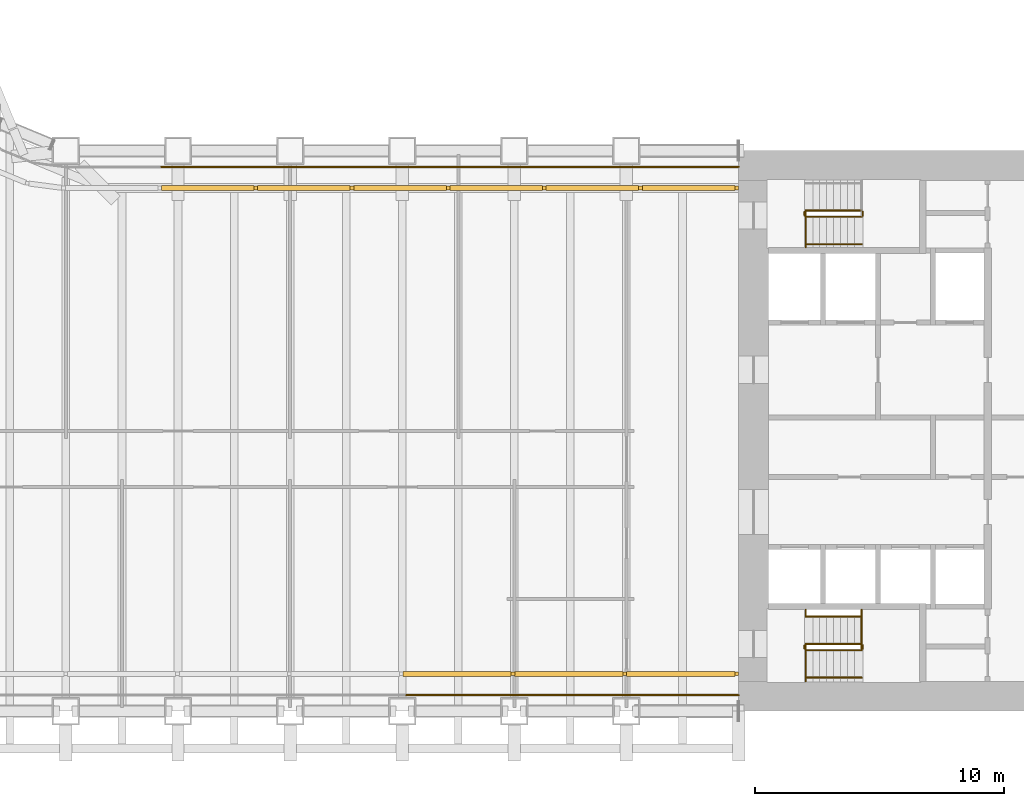
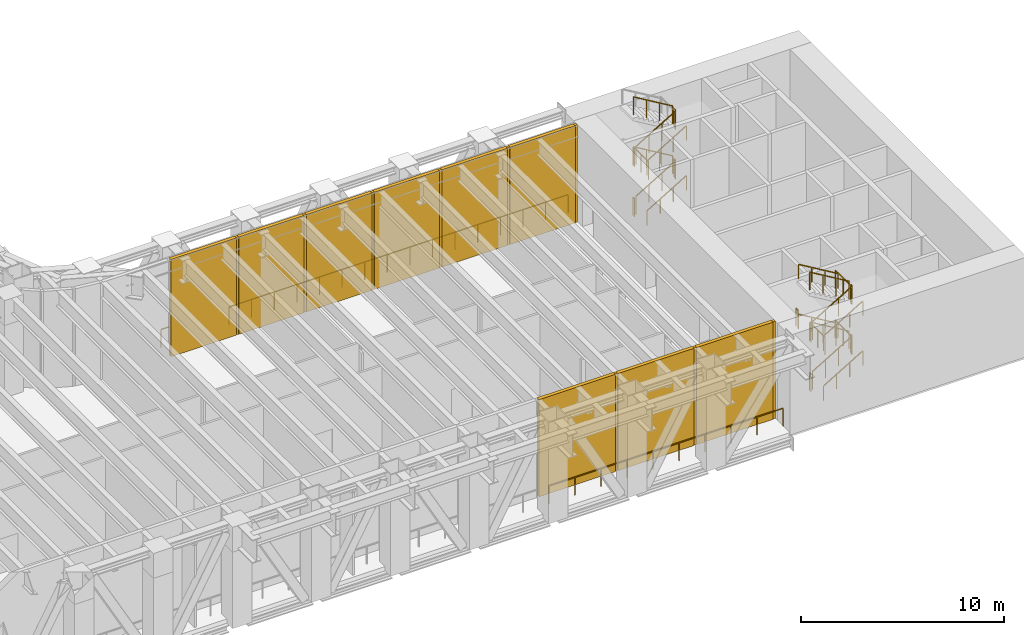
# One storey, part 16 of 19: 36 railings, 18 shading devices.
"""IFC4 building model written with IfcOpenShell, lengths in metres."""

from ifc_helpers import new_model, si_unit, direction, frame, origin, origin_2d, place, context, subcontext, project, spatial, rectangle, extrude, material, layer, layer_set, type_object, element, save


model = new_model("IFC4")

# Units and contexts
model_context = context("Model", 3, precision=1e-05, world=origin(), true_north=direction((0.0, 1.0)))
body_context = subcontext(model_context, "Body", "Model", "MODEL_VIEW")
ifc_project = project(units=[si_unit("LENGTHUNIT", "METRE"), si_unit("AREAUNIT", "SQUARE_METRE"), si_unit("VOLUMEUNIT", "CUBIC_METRE"), si_unit("PLANEANGLEUNIT", "RADIAN"), si_unit("MASSUNIT", "GRAM", prefix="KILO")], contexts=[model_context])

# Site, building, storey
site_placement = place(None, origin())
site = spatial("IfcSite", under=ifc_project, at=site_placement, CompositionType="ELEMENT")
building_placement = place(site_placement, origin())
building = spatial("IfcBuilding", under=site, at=building_placement, Name="Sennacour Bend Tower", CompositionType="ELEMENT")
storey_placement = place(building_placement, frame((0.0, 0.0, 77.0)))
storey = spatial("IfcBuildingStorey", under=building, at=storey_placement, Name="L17", CompositionType="ELEMENT", Elevation=77.0)

# Railings
ifc_material_1 = material(Name="Stainless steel 316", Category="steel")
railing_type_1 = type_object("IfcRailingType", Name="GUARD 1100", PredefinedType="GUARDRAIL", material=ifc_material_1)
for number, where, name in (
    (1, (30.820556640625, 21.85009765625, 0.0), "Guard L17"),
    (2, (34.68359375, 21.85009765625, 0.0), "Guard L17"),
    (3, (38.546630859375, 21.85009765625, 0.0), "Guard L17"),
    (4, (42.40966796875, 21.85009765625, 0.0), "Guard L17"),
):
    element("IfcRailing", number, at=place(storey_placement, frame(where)), inside=storey, type_object=railing_type_1, Name=name, PredefinedType="GUARDRAIL", context=body_context, shape_type="SweptSolid", body=[
        extrude(rectangle(XDim=0.048095703125, YDim=0.048095703125, at=origin_2d()), frame((0.0, 0.0, 1.076171875), z_axis=(1.0, 0.0, 0.0), x_axis=(0.0, 1.0, 0.0)), (0.0, 0.0, 1.0), 3.863037109375),
        extrude(rectangle(XDim=0.0419921875, YDim=0.0419921875, at=origin_2d()), origin(), (0.0, 0.0, 1.0), 1.052001953125),
        extrude(rectangle(XDim=0.0419921875, YDim=0.0419921875, at=origin_2d()), frame((1.28759765625, 0.0, 0.0)), (0.0, 0.0, 1.0), 1.052001953125),
        extrude(rectangle(XDim=0.0419921875, YDim=0.0419921875, at=origin_2d()), frame((2.575439453125, 0.0, 0.0)), (0.0, 0.0, 1.0), 1.052001953125),
        extrude(rectangle(XDim=0.0419921875, YDim=0.0419921875, at=origin_2d()), frame((3.863037109375, 0.0, 0.0)), (0.0, 0.0, 1.0), 1.052001953125),
    ])
railing_1_placement = place(storey_placement, frame((46.272705078125, 21.85009765625, 0.0)))
element("IfcRailing", 5, at=railing_1_placement, inside=storey, type_object=railing_type_1, Name="Guard L17", PredefinedType="GUARDRAIL", context=body_context, shape_type="SweptSolid", body=[
    extrude(rectangle(XDim=0.048095703125, YDim=0.048095703125, at=origin_2d()), frame((0.0, 0.0, 1.076171875), z_axis=(1.0, 0.0, 0.0), x_axis=(0.0, 1.0, 0.0)), (0.0, 0.0, 1.0), 3.86328125),
    extrude(rectangle(XDim=0.0419921875, YDim=0.0419921875, at=origin_2d()), origin(), (0.0, 0.0, 1.0), 1.052001953125),
    extrude(rectangle(XDim=0.0419921875, YDim=0.0419921875, at=origin_2d()), frame((1.287841796875, 0.0, 0.0)), (0.0, 0.0, 1.0), 1.052001953125),
    extrude(rectangle(XDim=0.0419921875, YDim=0.0419921875, at=origin_2d()), frame((2.575439453125, 0.0, 0.0)), (0.0, 0.0, 1.0), 1.052001953125),
    extrude(rectangle(XDim=0.0419921875, YDim=0.0419921875, at=origin_2d()), frame((3.86328125, 0.0, 0.0)), (0.0, 0.0, 1.0), 1.052001953125),
])
railing_2_placement = place(storey_placement, frame((50.135986328125, 21.85009765625, 0.0)))
element("IfcRailing", 6, at=railing_2_placement, inside=storey, type_object=railing_type_1, Name="Guard L17", PredefinedType="GUARDRAIL", context=body_context, shape_type="SweptSolid", body=[
    extrude(rectangle(XDim=0.048095703125, YDim=0.048095703125, at=origin_2d()), frame((0.0, 0.0, 1.076171875), z_axis=(1.0, 0.0, 0.0), x_axis=(0.0, 1.0, 0.0)), (0.0, 0.0, 1.0), 3.863037109375),
    extrude(rectangle(XDim=0.0419921875, YDim=0.0419921875, at=origin_2d()), origin(), (0.0, 0.0, 1.0), 1.052001953125),
    extrude(rectangle(XDim=0.0419921875, YDim=0.0419921875, at=origin_2d()), frame((1.28759765625, 0.0, 0.0)), (0.0, 0.0, 1.0), 1.052001953125),
    extrude(rectangle(XDim=0.0419921875, YDim=0.0419921875, at=origin_2d()), frame((2.575439453125, 0.0, 0.0)), (0.0, 0.0, 1.0), 1.052001953125),
    extrude(rectangle(XDim=0.0419921875, YDim=0.0419921875, at=origin_2d()), frame((3.863037109375, 0.0, 0.0)), (0.0, 0.0, 1.0), 1.052001953125),
])
for number, where, name in (
    (7, (53.9990234375, 0.64990234375, 0.0), "Guard L17"),
    (8, (49.55322265625, 0.64990234375, 0.0), "Guard L17"),
    (9, (45.107421875, 0.64990234375, 0.0), "Guard L17"),
):
    element("IfcRailing", number, at=place(storey_placement, frame(where)), inside=storey, type_object=railing_type_1, Name=name, PredefinedType="GUARDRAIL", context=body_context, shape_type="SweptSolid", body=[
        extrude(rectangle(XDim=0.048095703125, YDim=0.048095703125, at=origin_2d()), frame((0.0, 0.0, 1.076171875), z_axis=(-1.0, 0.0, 0.0), x_axis=(0.0, -1.0, 0.0)), (0.0, 0.0, 1.0), 4.44580078125),
        extrude(rectangle(XDim=0.0419921875, YDim=0.0419921875, at=origin_2d()), origin(), (0.0, 0.0, 1.0), 1.052001953125),
        extrude(rectangle(XDim=0.0419921875, YDim=0.0419921875, at=origin_2d()), frame((-1.48193359375, 0.0, 0.0)), (0.0, 0.0, 1.0), 1.052001953125),
        extrude(rectangle(XDim=0.0419921875, YDim=0.0419921875, at=origin_2d()), frame((-2.9638671875, 0.0, 0.0)), (0.0, 0.0, 1.0), 1.052001953125),
        extrude(rectangle(XDim=0.0419921875, YDim=0.0419921875, at=origin_2d()), frame((-4.44580078125, 0.0, 0.0)), (0.0, 0.0, 1.0), 1.052001953125),
    ])

# Shading devices
ifc_material_2 = material(Name="Dark bronze anodised aluminium louvre", Category="aluminium")
ifc_layer = layer(ifc_material_2, 0.199951171875, Name="Dark bronze anodised aluminium louvre", Category="aluminium")
ifc_layer_set = layer_set([ifc_layer], Name="Dark bronze anodised aluminium louvre")
shading_device_type_1 = type_object("IfcShadingDeviceType", Name="LOUVRE BANK 200", PredefinedType="USERDEFINED", material=ifc_layer_set)
for number, where, z_axis, x_axis, name in (
    (10, (32.692138671875, 21.0, 0.0), (0.0, 0.0, 1.0), (1.0, 0.0, 0.0), "Louvre bank L17"),
    (11, (36.552490234375, 21.0, 0.0), (0.0, 0.0, 1.0), (1.0, 0.0, 0.0), "Louvre bank L17"),
    (12, (40.412841796875, 21.0, 0.0), (0.0, 0.0, 1.0), (1.0, 0.0, 0.0), "Louvre bank L17"),
    (13, (44.273193359375, 21.0, 0.0), (0.0, 0.0, 1.0), (1.0, 0.0, 0.0), "Louvre bank L17"),
    (14, (48.133544921875, 21.0, 0.0), (0.0, 0.0, 1.0), (1.0, 0.0, 0.0), "Louvre bank L17"),
    (15, (51.993896484375, 21.0, 0.0), (0.0, 0.0, 1.0), (1.0, 0.0, 0.0), "Louvre bank L17"),
):
    element("IfcShadingDevice", number, at=place(storey_placement, frame(where, z_axis=z_axis, x_axis=x_axis)), inside=storey, type_object=shading_device_type_1, Name=name, ObjectType="LOUVRE", PredefinedType="USERDEFINED", context=body_context, shape_type="SweptSolid", body=[
        extrude(rectangle(XDim=3.72021484375, YDim=0.199951171875, at=origin_2d()), origin(), (0.0, 0.0, 1.0), 5.85009765625),
    ])
for number, where, z_axis, x_axis, name in (
    (16, (51.679443359375, 1.5, 0.0), (0.0, 0.0, 1.0), (-1.0, 0.0, 0.0), "Louvre bank L17"),
    (17, (47.190185546875, 1.5, 0.0), (0.0, 0.0, 1.0), (-1.0, 0.0, 0.0), "Louvre bank L17"),
    (18, (42.701171875, 1.5, 0.0), (0.0, 0.0, 1.0), (-1.0, 0.0, 0.0), "Louvre bank L17"),
):
    element("IfcShadingDevice", number, at=place(storey_placement, frame(where, z_axis=z_axis, x_axis=x_axis)), inside=storey, type_object=shading_device_type_1, Name=name, ObjectType="LOUVRE", PredefinedType="USERDEFINED", context=body_context, shape_type="SweptSolid", body=[
        extrude(rectangle(XDim=4.34912109375, YDim=0.199951171875, at=origin_2d()), origin(), (0.0, 0.0, 1.0), 5.85009765625),
    ])
shading_device_type_2 = type_object("IfcShadingDeviceType", Name="LOUVRE WALL POST 150", PredefinedType="USERDEFINED", material=ifc_material_2)
for number, where, z_axis, x_axis, name in (
    (19, (34.622314453125, 21.0, 0.0), (0.0, 0.0, 1.0), (1.0, 0.0, 0.0), "Louvre wall post L17"),
    (20, (38.482666015625, 21.0, 0.0), (0.0, 0.0, 1.0), (1.0, 0.0, 0.0), "Louvre wall post L17"),
    (21, (42.343017578125, 21.0, 0.0), (0.0, 0.0, 1.0), (1.0, 0.0, 0.0), "Louvre wall post L17"),
    (22, (46.203369140625, 21.0, 0.0), (0.0, 0.0, 1.0), (1.0, 0.0, 0.0), "Louvre wall post L17"),
    (23, (50.063720703125, 21.0, 0.0), (0.0, 0.0, 1.0), (1.0, 0.0, 0.0), "Louvre wall post L17"),
    (24, (53.924072265625, 21.0, 0.0), (0.0, 0.0, 1.0), (1.0, 0.0, 0.0), "Louvre wall post L17"),
    (25, (53.924072265625, 1.5, 0.0), (0.0, 0.0, 1.0), (1.0, 0.0, 0.0), "Louvre wall post L17"),
    (26, (49.434814453125, 1.5, 0.0), (0.0, 0.0, 1.0), (1.0, 0.0, 0.0), "Louvre wall post L17"),
    (27, (44.94580078125, 1.5, 0.0), (0.0, 0.0, 1.0), (1.0, 0.0, 0.0), "Louvre wall post L17"),
):
    element("IfcShadingDevice", number, at=place(storey_placement, frame(where, z_axis=z_axis, x_axis=x_axis)), inside=storey, type_object=shading_device_type_2, Name=name, ObjectType="LOUVRE", PredefinedType="USERDEFINED", context=body_context, shape_type="SweptSolid", body=[
        extrude(rectangle(XDim=0.14990234375, YDim=0.14990234375, at=origin_2d()), origin(), (0.0, 0.0, 1.0), 5.85009765625),
    ])

# Railings
ifc_material_3 = material(Name="Stainless steel", Category="steel")
railing_type_2 = type_object("IfcRailingType", Name="RL-GUARD-1100", PredefinedType="GUARDRAIL", material=ifc_material_3)
railing_3_placement = place(storey_placement, frame((56.699951171875, 2.449951171875, 0.166748046875)))
element("IfcRailing", 28, at=railing_3_placement, inside=storey, type_object=railing_type_2, Name="L17 SA1 stair guard 1", PredefinedType="GUARDRAIL", context=body_context, shape_type="SweptSolid", body=[
    extrude(rectangle(XDim=0.048095703125, YDim=0.048095703125, at=origin_2d()), frame((0.0, 0.0, 1.076171875), z_axis=(0.859305625298, 0.0, 0.511462454469), x_axis=(0.0, 1.0, 0.0)), (0.0, 0.0, 1.0), 2.606689453125),
    extrude(rectangle(XDim=0.0419921875, YDim=0.0419921875, at=origin_2d()), origin(), (0.0, 0.0, 1.0), 1.052001953125),
    extrude(rectangle(XDim=0.0419921875, YDim=0.0419921875, at=origin_2d()), frame((0.74658203125, 0.0, 0.4443359375)), (0.0, 0.0, 1.0), 1.052001953125),
    extrude(rectangle(XDim=0.0419921875, YDim=0.0419921875, at=origin_2d()), frame((1.493408203125, 0.0, 0.888916015625)), (0.0, 0.0, 1.0), 1.052001953125),
    extrude(rectangle(XDim=0.0419921875, YDim=0.0419921875, at=origin_2d()), frame((2.239990234375, 0.0, 1.333251953125)), (0.0, 0.0, 1.0), 1.052001953125),
])
railing_4_placement = place(storey_placement, frame((58.989990234375, 2.5, 1.5)))
element("IfcRailing", 29, at=railing_4_placement, inside=storey, type_object=railing_type_2, Name="L17 SA1 stair guard 2", PredefinedType="GUARDRAIL", context=body_context, shape_type="SweptSolid", body=[
    extrude(rectangle(XDim=0.048095703125, YDim=0.048095703125, at=origin_2d()), frame((0.0, 0.0, 1.076171875), z_axis=(0.0, 1.0, 0.0), x_axis=(-1.0, 0.0, 0.0)), (0.0, 0.0, 1.0), 0.14990234375),
    extrude(rectangle(XDim=0.0419921875, YDim=0.0419921875, at=origin_2d()), origin(), (0.0, 0.0, 1.0), 1.052001953125),
    extrude(rectangle(XDim=0.0419921875, YDim=0.0419921875, at=origin_2d()), frame((0.0, 0.14990234375, 0.0)), (0.0, 0.0, 1.0), 1.052001953125),
])
railing_5_placement = place(storey_placement, frame((58.93994140625, 2.699951171875, 1.666748046875)))
element("IfcRailing", 30, at=railing_5_placement, inside=storey, type_object=railing_type_2, Name="L17 SA1 stair guard 4", PredefinedType="GUARDRAIL", context=body_context, shape_type="SweptSolid", body=[
    extrude(rectangle(XDim=0.048095703125, YDim=0.048095703125, at=origin_2d()), frame((0.0, 0.0, 1.076171875), z_axis=(-0.859305625298, 0.0, 0.511462454469), x_axis=(0.0, -1.0, 0.0)), (0.0, 0.0, 1.0), 2.606689453125),
    extrude(rectangle(XDim=0.0419921875, YDim=0.0419921875, at=origin_2d()), origin(), (0.0, 0.0, 1.0), 1.052001953125),
    extrude(rectangle(XDim=0.0419921875, YDim=0.0419921875, at=origin_2d()), frame((-0.74658203125, 0.0, 0.4443359375)), (0.0, 0.0, 1.0), 1.052001953125),
    extrude(rectangle(XDim=0.0419921875, YDim=0.0419921875, at=origin_2d()), frame((-1.493408203125, 0.0, 0.888916015625)), (0.0, 0.0, 1.0), 1.052001953125),
    extrude(rectangle(XDim=0.0419921875, YDim=0.0419921875, at=origin_2d()), frame((-2.239990234375, 0.0, 1.333251953125)), (0.0, 0.0, 1.0), 1.052001953125),
])
railing_6_placement = place(storey_placement, frame((56.64990234375, 2.5, 3.0)))
element("IfcRailing", 31, at=railing_6_placement, inside=storey, type_object=railing_type_2, Name="L17 SA1 stair guard 5", PredefinedType="GUARDRAIL", context=body_context, shape_type="SweptSolid", body=[
    extrude(rectangle(XDim=0.048095703125, YDim=0.048095703125, at=origin_2d()), frame((0.0, 0.0, 1.076171875), z_axis=(0.0, 1.0, 0.0), x_axis=(-1.0, 0.0, 0.0)), (0.0, 0.0, 1.0), 0.14990234375),
    extrude(rectangle(XDim=0.0419921875, YDim=0.0419921875, at=origin_2d()), origin(), (0.0, 0.0, 1.0), 1.052001953125),
    extrude(rectangle(XDim=0.0419921875, YDim=0.0419921875, at=origin_2d()), frame((0.0, 0.14990234375, 0.0)), (0.0, 0.0, 1.0), 1.052001953125),
])
railing_7_placement = place(storey_placement, frame((56.699951171875, 2.449951171875, 3.166748046875)))
element("IfcRailing", 32, at=railing_7_placement, inside=storey, type_object=railing_type_2, Name="L17 SA1 stair guard 8", PredefinedType="GUARDRAIL", context=body_context, shape_type="SweptSolid", body=[
    extrude(rectangle(XDim=0.048095703125, YDim=0.048095703125, at=origin_2d()), frame((0.0, 0.0, 1.076171875), z_axis=(0.859305625298, 0.0, 0.511462454469), x_axis=(0.0, 1.0, 0.0)), (0.0, 0.0, 1.0), 2.606689453125),
    extrude(rectangle(XDim=0.0419921875, YDim=0.0419921875, at=origin_2d()), origin(), (0.0, 0.0, 1.0), 1.052001953125),
    extrude(rectangle(XDim=0.0419921875, YDim=0.0419921875, at=origin_2d()), frame((0.74658203125, 0.0, 0.4443359375)), (0.0, 0.0, 1.0), 1.052001953125),
    extrude(rectangle(XDim=0.0419921875, YDim=0.0419921875, at=origin_2d()), frame((1.493408203125, 0.0, 0.888916015625)), (0.0, 0.0, 1.0), 1.052001953125),
    extrude(rectangle(XDim=0.0419921875, YDim=0.0419921875, at=origin_2d()), frame((2.239990234375, 0.0, 1.333251953125)), (0.0, 0.0, 1.0), 1.052001953125),
])
railing_8_placement = place(storey_placement, frame((58.989990234375, 2.5, 4.5)))
element("IfcRailing", 33, at=railing_8_placement, inside=storey, type_object=railing_type_2, Name="L17 SA1 stair guard 9", PredefinedType="GUARDRAIL", context=body_context, shape_type="SweptSolid", body=[
    extrude(rectangle(XDim=0.048095703125, YDim=0.048095703125, at=origin_2d()), frame((0.0, 0.0, 1.076171875), z_axis=(0.0, 1.0, 0.0), x_axis=(-1.0, 0.0, 0.0)), (0.0, 0.0, 1.0), 0.14990234375),
    extrude(rectangle(XDim=0.0419921875, YDim=0.0419921875, at=origin_2d()), origin(), (0.0, 0.0, 1.0), 1.052001953125),
    extrude(rectangle(XDim=0.0419921875, YDim=0.0419921875, at=origin_2d()), frame((0.0, 0.14990234375, 0.0)), (0.0, 0.0, 1.0), 1.052001953125),
])
railing_9_placement = place(storey_placement, frame((58.93994140625, 2.699951171875, 4.666748046875)))
element("IfcRailing", 34, at=railing_9_placement, inside=storey, type_object=railing_type_2, Name="L17 SA1 stair guard 11", PredefinedType="GUARDRAIL", context=body_context, shape_type="SweptSolid", body=[
    extrude(rectangle(XDim=0.048095703125, YDim=0.048095703125, at=origin_2d()), frame((0.0, 0.0, 1.076171875), z_axis=(-0.859305625298, 0.0, 0.511462454469), x_axis=(0.0, -1.0, 0.0)), (0.0, 0.0, 1.0), 2.606689453125),
    extrude(rectangle(XDim=0.0419921875, YDim=0.0419921875, at=origin_2d()), origin(), (0.0, 0.0, 1.0), 1.052001953125),
    extrude(rectangle(XDim=0.0419921875, YDim=0.0419921875, at=origin_2d()), frame((-0.74658203125, 0.0, 0.4443359375)), (0.0, 0.0, 1.0), 1.052001953125),
    extrude(rectangle(XDim=0.0419921875, YDim=0.0419921875, at=origin_2d()), frame((-1.493408203125, 0.0, 0.888916015625)), (0.0, 0.0, 1.0), 1.052001953125),
    extrude(rectangle(XDim=0.0419921875, YDim=0.0419921875, at=origin_2d()), frame((-2.239990234375, 0.0, 1.333251953125)), (0.0, 0.0, 1.0), 1.052001953125),
])
railing_10_placement = place(storey_placement, frame((56.64990234375, 2.5, 0.0)))
element("IfcRailing", 35, at=railing_10_placement, inside=storey, type_object=railing_type_2, Name="L17 SA1 stair guard 12", PredefinedType="GUARDRAIL", context=body_context, shape_type="SweptSolid", body=[
    extrude(rectangle(XDim=0.048095703125, YDim=0.048095703125, at=origin_2d()), frame((0.0, 0.0, 1.076171875), z_axis=(0.0, 1.0, 0.0), x_axis=(-1.0, 0.0, 0.0)), (0.0, 0.0, 1.0), 0.14990234375),
    extrude(rectangle(XDim=0.0419921875, YDim=0.0419921875, at=origin_2d()), origin(), (0.0, 0.0, 1.0), 1.052001953125),
    extrude(rectangle(XDim=0.0419921875, YDim=0.0419921875, at=origin_2d()), frame((0.0, 0.14990234375, 0.0)), (0.0, 0.0, 1.0), 1.052001953125),
])
railing_11_placement = place(storey_placement, frame((58.93994140625, 2.5, 1.5)))
element("IfcRailing", 36, at=railing_11_placement, inside=storey, type_object=railing_type_2, Name="L17 SA1 landing edge guard 32", PredefinedType="GUARDRAIL", context=body_context, shape_type="SweptSolid", body=[
    extrude(rectangle(XDim=0.048095703125, YDim=0.048095703125, at=origin_2d()), frame((0.0, 0.0, 1.076171875), z_axis=(0.0, 1.0, 0.0), x_axis=(-1.0, 0.0, 0.0)), (0.0, 0.0, 1.0), 1.574951171875),
    extrude(rectangle(XDim=0.0419921875, YDim=0.0419921875, at=origin_2d()), origin(), (0.0, 0.0, 1.0), 1.052001953125),
    extrude(rectangle(XDim=0.0419921875, YDim=0.0419921875, at=origin_2d()), frame((0.0, 0.78759765625, 0.0)), (0.0, 0.0, 1.0), 1.052001953125),
    extrude(rectangle(XDim=0.0419921875, YDim=0.0419921875, at=origin_2d()), frame((0.0, 1.574951171875, 0.0)), (0.0, 0.0, 1.0), 1.052001953125),
])
railing_12_placement = place(storey_placement, frame((56.699951171875, 4.074951171875, 3.0)))
element("IfcRailing", 37, at=railing_12_placement, inside=storey, type_object=railing_type_2, Name="L17 SA1 landing edge guard 33", PredefinedType="GUARDRAIL", context=body_context, shape_type="SweptSolid", body=[
    extrude(rectangle(XDim=0.048095703125, YDim=0.048095703125, at=origin_2d()), frame((0.0, 0.0, 1.076171875), z_axis=(0.0, -1.0, 0.0), x_axis=(1.0, 0.0, 0.0)), (0.0, 0.0, 1.0), 0.224853515625),
    extrude(rectangle(XDim=0.0419921875, YDim=0.0419921875, at=origin_2d()), origin(), (0.0, 0.0, 1.0), 1.052001953125),
    extrude(rectangle(XDim=0.0419921875, YDim=0.0419921875, at=origin_2d()), frame((0.0, -0.224853515625, 0.0)), (0.0, 0.0, 1.0), 1.052001953125),
])
railing_13_placement = place(storey_placement, frame((56.699951171875, 2.64990234375, 3.0)))
element("IfcRailing", 38, at=railing_13_placement, inside=storey, type_object=railing_type_2, Name="L17 SA1 landing edge guard 34", PredefinedType="GUARDRAIL", context=body_context, shape_type="SweptSolid", body=[
    extrude(rectangle(XDim=0.048095703125, YDim=0.048095703125, at=origin_2d()), frame((0.0, 0.0, 1.076171875), z_axis=(0.0, -1.0, 0.0), x_axis=(1.0, 0.0, 0.0)), (0.0, 0.0, 1.0), 1.449951171875),
    extrude(rectangle(XDim=0.0419921875, YDim=0.0419921875, at=origin_2d()), origin(), (0.0, 0.0, 1.0), 1.052001953125),
    extrude(rectangle(XDim=0.0419921875, YDim=0.0419921875, at=origin_2d()), frame((0.0, -0.72509765625, 0.0)), (0.0, 0.0, 1.0), 1.052001953125),
    extrude(rectangle(XDim=0.0419921875, YDim=0.0419921875, at=origin_2d()), frame((0.0, -1.449951171875, 0.0)), (0.0, 0.0, 1.0), 1.052001953125),
])
railing_14_placement = place(storey_placement, frame((58.93994140625, 2.5, 4.5)))
element("IfcRailing", 39, at=railing_14_placement, inside=storey, type_object=railing_type_2, Name="L17 SA1 landing edge guard 35", PredefinedType="GUARDRAIL", context=body_context, shape_type="SweptSolid", body=[
    extrude(rectangle(XDim=0.048095703125, YDim=0.048095703125, at=origin_2d()), frame((0.0, 0.0, 1.076171875), z_axis=(0.0, 1.0, 0.0), x_axis=(-1.0, 0.0, 0.0)), (0.0, 0.0, 1.0), 1.574951171875),
    extrude(rectangle(XDim=0.0419921875, YDim=0.0419921875, at=origin_2d()), origin(), (0.0, 0.0, 1.0), 1.052001953125),
    extrude(rectangle(XDim=0.0419921875, YDim=0.0419921875, at=origin_2d()), frame((0.0, 0.78759765625, 0.0)), (0.0, 0.0, 1.0), 1.052001953125),
    extrude(rectangle(XDim=0.0419921875, YDim=0.0419921875, at=origin_2d()), frame((0.0, 1.574951171875, 0.0)), (0.0, 0.0, 1.0), 1.052001953125),
])
railing_15_placement = place(storey_placement, frame((56.699951171875, 19.85009765625, 0.166748046875)))
element("IfcRailing", 40, at=railing_15_placement, inside=storey, type_object=railing_type_2, Name="L17 SA2 stair guard 1", PredefinedType="GUARDRAIL", context=body_context, shape_type="SweptSolid", body=[
    extrude(rectangle(XDim=0.048095703125, YDim=0.048095703125, at=origin_2d()), frame((0.0, 0.0, 1.076171875), z_axis=(0.859305625298, 0.0, 0.511462454469), x_axis=(0.0, 1.0, 0.0)), (0.0, 0.0, 1.0), 2.606689453125),
    extrude(rectangle(XDim=0.0419921875, YDim=0.0419921875, at=origin_2d()), origin(), (0.0, 0.0, 1.0), 1.052001953125),
    extrude(rectangle(XDim=0.0419921875, YDim=0.0419921875, at=origin_2d()), frame((0.74658203125, 0.0, 0.4443359375)), (0.0, 0.0, 1.0), 1.052001953125),
    extrude(rectangle(XDim=0.0419921875, YDim=0.0419921875, at=origin_2d()), frame((1.493408203125, 0.0, 0.888916015625)), (0.0, 0.0, 1.0), 1.052001953125),
    extrude(rectangle(XDim=0.0419921875, YDim=0.0419921875, at=origin_2d()), frame((2.239990234375, 0.0, 1.333251953125)), (0.0, 0.0, 1.0), 1.052001953125),
])
railing_16_placement = place(storey_placement, frame((58.989990234375, 19.89990234375, 1.5)))
element("IfcRailing", 41, at=railing_16_placement, inside=storey, type_object=railing_type_2, Name="L17 SA2 stair guard 2", PredefinedType="GUARDRAIL", context=body_context, shape_type="SweptSolid", body=[
    extrude(rectangle(XDim=0.048095703125, YDim=0.048095703125, at=origin_2d()), frame((0.0, 0.0, 1.076171875), z_axis=(0.0, 1.0, 0.0), x_axis=(-1.0, 0.0, 0.0)), (0.0, 0.0, 1.0), 0.150146484375),
    extrude(rectangle(XDim=0.0419921875, YDim=0.0419921875, at=origin_2d()), origin(), (0.0, 0.0, 1.0), 1.052001953125),
    extrude(rectangle(XDim=0.0419921875, YDim=0.0419921875, at=origin_2d()), frame((0.0, 0.150146484375, 0.0)), (0.0, 0.0, 1.0), 1.052001953125),
])
railing_17_placement = place(storey_placement, frame((58.93994140625, 20.10009765625, 1.666748046875)))
element("IfcRailing", 42, at=railing_17_placement, inside=storey, type_object=railing_type_2, Name="L17 SA2 stair guard 4", PredefinedType="GUARDRAIL", context=body_context, shape_type="SweptSolid", body=[
    extrude(rectangle(XDim=0.048095703125, YDim=0.048095703125, at=origin_2d()), frame((0.0, 0.0, 1.076171875), z_axis=(-0.859305625298, 0.0, 0.511462454469), x_axis=(0.0, -1.0, 0.0)), (0.0, 0.0, 1.0), 2.606689453125),
    extrude(rectangle(XDim=0.0419921875, YDim=0.0419921875, at=origin_2d()), origin(), (0.0, 0.0, 1.0), 1.052001953125),
    extrude(rectangle(XDim=0.0419921875, YDim=0.0419921875, at=origin_2d()), frame((-0.74658203125, 0.0, 0.4443359375)), (0.0, 0.0, 1.0), 1.052001953125),
    extrude(rectangle(XDim=0.0419921875, YDim=0.0419921875, at=origin_2d()), frame((-1.493408203125, 0.0, 0.888916015625)), (0.0, 0.0, 1.0), 1.052001953125),
    extrude(rectangle(XDim=0.0419921875, YDim=0.0419921875, at=origin_2d()), frame((-2.239990234375, 0.0, 1.333251953125)), (0.0, 0.0, 1.0), 1.052001953125),
])
railing_18_placement = place(storey_placement, frame((56.64990234375, 19.89990234375, 3.0)))
element("IfcRailing", 43, at=railing_18_placement, inside=storey, type_object=railing_type_2, Name="L17 SA2 stair guard 5", PredefinedType="GUARDRAIL", context=body_context, shape_type="SweptSolid", body=[
    extrude(rectangle(XDim=0.048095703125, YDim=0.048095703125, at=origin_2d()), frame((0.0, 0.0, 1.076171875), z_axis=(0.0, 1.0, 0.0), x_axis=(-1.0, 0.0, 0.0)), (0.0, 0.0, 1.0), 0.150146484375),
    extrude(rectangle(XDim=0.0419921875, YDim=0.0419921875, at=origin_2d()), origin(), (0.0, 0.0, 1.0), 1.052001953125),
    extrude(rectangle(XDim=0.0419921875, YDim=0.0419921875, at=origin_2d()), frame((0.0, 0.150146484375, 0.0)), (0.0, 0.0, 1.0), 1.052001953125),
])
railing_19_placement = place(storey_placement, frame((56.699951171875, 19.85009765625, 3.166748046875)))
element("IfcRailing", 44, at=railing_19_placement, inside=storey, type_object=railing_type_2, Name="L17 SA2 stair guard 8", PredefinedType="GUARDRAIL", context=body_context, shape_type="SweptSolid", body=[
    extrude(rectangle(XDim=0.048095703125, YDim=0.048095703125, at=origin_2d()), frame((0.0, 0.0, 1.076171875), z_axis=(0.859305625298, 0.0, 0.511462454469), x_axis=(0.0, 1.0, 0.0)), (0.0, 0.0, 1.0), 2.606689453125),
    extrude(rectangle(XDim=0.0419921875, YDim=0.0419921875, at=origin_2d()), origin(), (0.0, 0.0, 1.0), 1.052001953125),
    extrude(rectangle(XDim=0.0419921875, YDim=0.0419921875, at=origin_2d()), frame((0.74658203125, 0.0, 0.4443359375)), (0.0, 0.0, 1.0), 1.052001953125),
    extrude(rectangle(XDim=0.0419921875, YDim=0.0419921875, at=origin_2d()), frame((1.493408203125, 0.0, 0.888916015625)), (0.0, 0.0, 1.0), 1.052001953125),
    extrude(rectangle(XDim=0.0419921875, YDim=0.0419921875, at=origin_2d()), frame((2.239990234375, 0.0, 1.333251953125)), (0.0, 0.0, 1.0), 1.052001953125),
])
railing_20_placement = place(storey_placement, frame((58.989990234375, 19.89990234375, 4.5)))
element("IfcRailing", 45, at=railing_20_placement, inside=storey, type_object=railing_type_2, Name="L17 SA2 stair guard 9", PredefinedType="GUARDRAIL", context=body_context, shape_type="SweptSolid", body=[
    extrude(rectangle(XDim=0.048095703125, YDim=0.048095703125, at=origin_2d()), frame((0.0, 0.0, 1.076171875), z_axis=(0.0, 1.0, 0.0), x_axis=(-1.0, 0.0, 0.0)), (0.0, 0.0, 1.0), 0.150146484375),
    extrude(rectangle(XDim=0.0419921875, YDim=0.0419921875, at=origin_2d()), origin(), (0.0, 0.0, 1.0), 1.052001953125),
    extrude(rectangle(XDim=0.0419921875, YDim=0.0419921875, at=origin_2d()), frame((0.0, 0.150146484375, 0.0)), (0.0, 0.0, 1.0), 1.052001953125),
])
railing_21_placement = place(storey_placement, frame((58.93994140625, 20.10009765625, 4.666748046875)))
element("IfcRailing", 46, at=railing_21_placement, inside=storey, type_object=railing_type_2, Name="L17 SA2 stair guard 11", PredefinedType="GUARDRAIL", context=body_context, shape_type="SweptSolid", body=[
    extrude(rectangle(XDim=0.048095703125, YDim=0.048095703125, at=origin_2d()), frame((0.0, 0.0, 1.076171875), z_axis=(-0.859305625298, 0.0, 0.511462454469), x_axis=(0.0, -1.0, 0.0)), (0.0, 0.0, 1.0), 2.606689453125),
    extrude(rectangle(XDim=0.0419921875, YDim=0.0419921875, at=origin_2d()), origin(), (0.0, 0.0, 1.0), 1.052001953125),
    extrude(rectangle(XDim=0.0419921875, YDim=0.0419921875, at=origin_2d()), frame((-0.74658203125, 0.0, 0.4443359375)), (0.0, 0.0, 1.0), 1.052001953125),
    extrude(rectangle(XDim=0.0419921875, YDim=0.0419921875, at=origin_2d()), frame((-1.493408203125, 0.0, 0.888916015625)), (0.0, 0.0, 1.0), 1.052001953125),
    extrude(rectangle(XDim=0.0419921875, YDim=0.0419921875, at=origin_2d()), frame((-2.239990234375, 0.0, 1.333251953125)), (0.0, 0.0, 1.0), 1.052001953125),
])
railing_22_placement = place(storey_placement, frame((56.64990234375, 19.89990234375, 0.0)))
element("IfcRailing", 47, at=railing_22_placement, inside=storey, type_object=railing_type_2, Name="L17 SA2 stair guard 12", PredefinedType="GUARDRAIL", context=body_context, shape_type="SweptSolid", body=[
    extrude(rectangle(XDim=0.048095703125, YDim=0.048095703125, at=origin_2d()), frame((0.0, 0.0, 1.076171875), z_axis=(0.0, 1.0, 0.0), x_axis=(-1.0, 0.0, 0.0)), (0.0, 0.0, 1.0), 0.150146484375),
    extrude(rectangle(XDim=0.0419921875, YDim=0.0419921875, at=origin_2d()), origin(), (0.0, 0.0, 1.0), 1.052001953125),
    extrude(rectangle(XDim=0.0419921875, YDim=0.0419921875, at=origin_2d()), frame((0.0, 0.150146484375, 0.0)), (0.0, 0.0, 1.0), 1.052001953125),
])
railing_23_placement = place(storey_placement, frame((56.699951171875, 20.050048828125, 3.0)))
element("IfcRailing", 48, at=railing_23_placement, inside=storey, type_object=railing_type_2, Name="L17 SA2 landing edge guard 29", PredefinedType="GUARDRAIL", context=body_context, shape_type="SweptSolid", body=[
    extrude(rectangle(XDim=0.048095703125, YDim=0.048095703125, at=origin_2d()), frame((0.0, 0.0, 1.076171875), z_axis=(0.0, -1.0, 0.0), x_axis=(1.0, 0.0, 0.0)), (0.0, 0.0, 1.0), 1.425048828125),
    extrude(rectangle(XDim=0.0419921875, YDim=0.0419921875, at=origin_2d()), origin(), (0.0, 0.0, 1.0), 1.052001953125),
    extrude(rectangle(XDim=0.0419921875, YDim=0.0419921875, at=origin_2d()), frame((0.0, -0.71240234375, 0.0)), (0.0, 0.0, 1.0), 1.052001953125),
    extrude(rectangle(XDim=0.0419921875, YDim=0.0419921875, at=origin_2d()), frame((0.0, -1.425048828125, 0.0)), (0.0, 0.0, 1.0), 1.052001953125),
])
railing_type_3 = type_object("IfcRailingType", Name="RL-HANDRAIL-900", PredefinedType="HANDRAIL", material=ifc_material_3)
railing_24_placement = place(storey_placement, frame((56.699951171875, 1.35009765625, 0.166748046875)))
element("IfcRailing", 49, at=railing_24_placement, inside=storey, type_object=railing_type_3, Name="L17 SA1 stair handrail 1", PredefinedType="HANDRAIL", context=body_context, shape_type="SweptSolid", body=[
    extrude(rectangle(XDim=0.048095703125, YDim=0.048095703125, at=origin_2d()), frame((0.0, 0.0, 0.8759765625), z_axis=(0.859305625298, 0.0, 0.511462454469), x_axis=(0.0, 1.0, 0.0)), (0.0, 0.0, 1.0), 2.606689453125),
    extrude(rectangle(XDim=0.0419921875, YDim=0.0419921875, at=origin_2d()), origin(), (0.0, 0.0, 1.0), 0.851806640625),
    extrude(rectangle(XDim=0.0419921875, YDim=0.0419921875, at=origin_2d()), frame((0.74658203125, 0.0, 0.4443359375)), (0.0, 0.0, 1.0), 0.851806640625),
    extrude(rectangle(XDim=0.0419921875, YDim=0.0419921875, at=origin_2d()), frame((1.493408203125, 0.0, 0.888916015625)), (0.0, 0.0, 1.0), 0.851806640625),
    extrude(rectangle(XDim=0.0419921875, YDim=0.0419921875, at=origin_2d()), frame((2.239990234375, 0.0, 1.333251953125)), (0.0, 0.0, 1.0), 0.851806640625),
])
railing_25_placement = place(storey_placement, frame((58.93994140625, 3.800048828125, 1.666748046875)))
element("IfcRailing", 50, at=railing_25_placement, inside=storey, type_object=railing_type_3, Name="L17 SA1 stair handrail 2", PredefinedType="HANDRAIL", context=body_context, shape_type="SweptSolid", body=[
    extrude(rectangle(XDim=0.048095703125, YDim=0.048095703125, at=origin_2d()), frame((0.0, 0.0, 0.8759765625), z_axis=(-0.859305625298, 0.0, 0.511462454469), x_axis=(0.0, -1.0, 0.0)), (0.0, 0.0, 1.0), 2.606689453125),
    extrude(rectangle(XDim=0.0419921875, YDim=0.0419921875, at=origin_2d()), origin(), (0.0, 0.0, 1.0), 0.851806640625),
    extrude(rectangle(XDim=0.0419921875, YDim=0.0419921875, at=origin_2d()), frame((-0.74658203125, 0.0, 0.4443359375)), (0.0, 0.0, 1.0), 0.851806640625),
    extrude(rectangle(XDim=0.0419921875, YDim=0.0419921875, at=origin_2d()), frame((-1.493408203125, 0.0, 0.888916015625)), (0.0, 0.0, 1.0), 0.851806640625),
    extrude(rectangle(XDim=0.0419921875, YDim=0.0419921875, at=origin_2d()), frame((-2.239990234375, 0.0, 1.333251953125)), (0.0, 0.0, 1.0), 0.851806640625),
])
railing_26_placement = place(storey_placement, frame((56.699951171875, 1.35009765625, 3.166748046875)))
element("IfcRailing", 51, at=railing_26_placement, inside=storey, type_object=railing_type_3, Name="L17 SA1 stair handrail 3", PredefinedType="HANDRAIL", context=body_context, shape_type="SweptSolid", body=[
    extrude(rectangle(XDim=0.048095703125, YDim=0.048095703125, at=origin_2d()), frame((0.0, 0.0, 0.8759765625), z_axis=(0.859305625298, 0.0, 0.511462454469), x_axis=(0.0, 1.0, 0.0)), (0.0, 0.0, 1.0), 2.606689453125),
    extrude(rectangle(XDim=0.0419921875, YDim=0.0419921875, at=origin_2d()), origin(), (0.0, 0.0, 1.0), 0.851806640625),
    extrude(rectangle(XDim=0.0419921875, YDim=0.0419921875, at=origin_2d()), frame((0.74658203125, 0.0, 0.4443359375)), (0.0, 0.0, 1.0), 0.851806640625),
    extrude(rectangle(XDim=0.0419921875, YDim=0.0419921875, at=origin_2d()), frame((1.493408203125, 0.0, 0.888916015625)), (0.0, 0.0, 1.0), 0.851806640625),
    extrude(rectangle(XDim=0.0419921875, YDim=0.0419921875, at=origin_2d()), frame((2.239990234375, 0.0, 1.333251953125)), (0.0, 0.0, 1.0), 0.851806640625),
])
railing_27_placement = place(storey_placement, frame((58.93994140625, 3.800048828125, 4.666748046875)))
element("IfcRailing", 52, at=railing_27_placement, inside=storey, type_object=railing_type_3, Name="L17 SA1 stair handrail 4", PredefinedType="HANDRAIL", context=body_context, shape_type="SweptSolid", body=[
    extrude(rectangle(XDim=0.048095703125, YDim=0.048095703125, at=origin_2d()), frame((0.0, 0.0, 0.8759765625), z_axis=(-0.859305625298, 0.0, 0.511462454469), x_axis=(0.0, -1.0, 0.0)), (0.0, 0.0, 1.0), 2.606689453125),
    extrude(rectangle(XDim=0.0419921875, YDim=0.0419921875, at=origin_2d()), origin(), (0.0, 0.0, 1.0), 0.851806640625),
    extrude(rectangle(XDim=0.0419921875, YDim=0.0419921875, at=origin_2d()), frame((-0.74658203125, 0.0, 0.4443359375)), (0.0, 0.0, 1.0), 0.851806640625),
    extrude(rectangle(XDim=0.0419921875, YDim=0.0419921875, at=origin_2d()), frame((-1.493408203125, 0.0, 0.888916015625)), (0.0, 0.0, 1.0), 0.851806640625),
    extrude(rectangle(XDim=0.0419921875, YDim=0.0419921875, at=origin_2d()), frame((-2.239990234375, 0.0, 1.333251953125)), (0.0, 0.0, 1.0), 0.851806640625),
])
for number, where, name in (
    (53, (56.699951171875, 18.75, 0.166748046875), "L17 SA2 stair handrail 1"),
    (54, (56.699951171875, 18.75, 3.166748046875), "L17 SA2 stair handrail 3"),
):
    element("IfcRailing", number, at=place(storey_placement, frame(where)), inside=storey, type_object=railing_type_3, Name=name, PredefinedType="HANDRAIL", context=body_context, shape_type="SweptSolid", body=[
        extrude(rectangle(XDim=0.048095703125, YDim=0.048095703125, at=origin_2d()), frame((0.0, 0.0, 0.8759765625), z_axis=(0.859305625298, 0.0, 0.511462454469), x_axis=(0.0, 1.0, 0.0)), (0.0, 0.0, 1.0), 2.606689453125),
        extrude(rectangle(XDim=0.0419921875, YDim=0.0419921875, at=origin_2d()), origin(), (0.0, 0.0, 1.0), 0.851806640625),
        extrude(rectangle(XDim=0.0419921875, YDim=0.0419921875, at=origin_2d()), frame((0.74658203125, 0.0, 0.4443359375)), (0.0, 0.0, 1.0), 0.851806640625),
        extrude(rectangle(XDim=0.0419921875, YDim=0.0419921875, at=origin_2d()), frame((1.493408203125, 0.0, 0.888916015625)), (0.0, 0.0, 1.0), 0.851806640625),
        extrude(rectangle(XDim=0.0419921875, YDim=0.0419921875, at=origin_2d()), frame((2.239990234375, 0.0, 1.333251953125)), (0.0, 0.0, 1.0), 0.851806640625),
    ])

save(model, "model.ifc")
